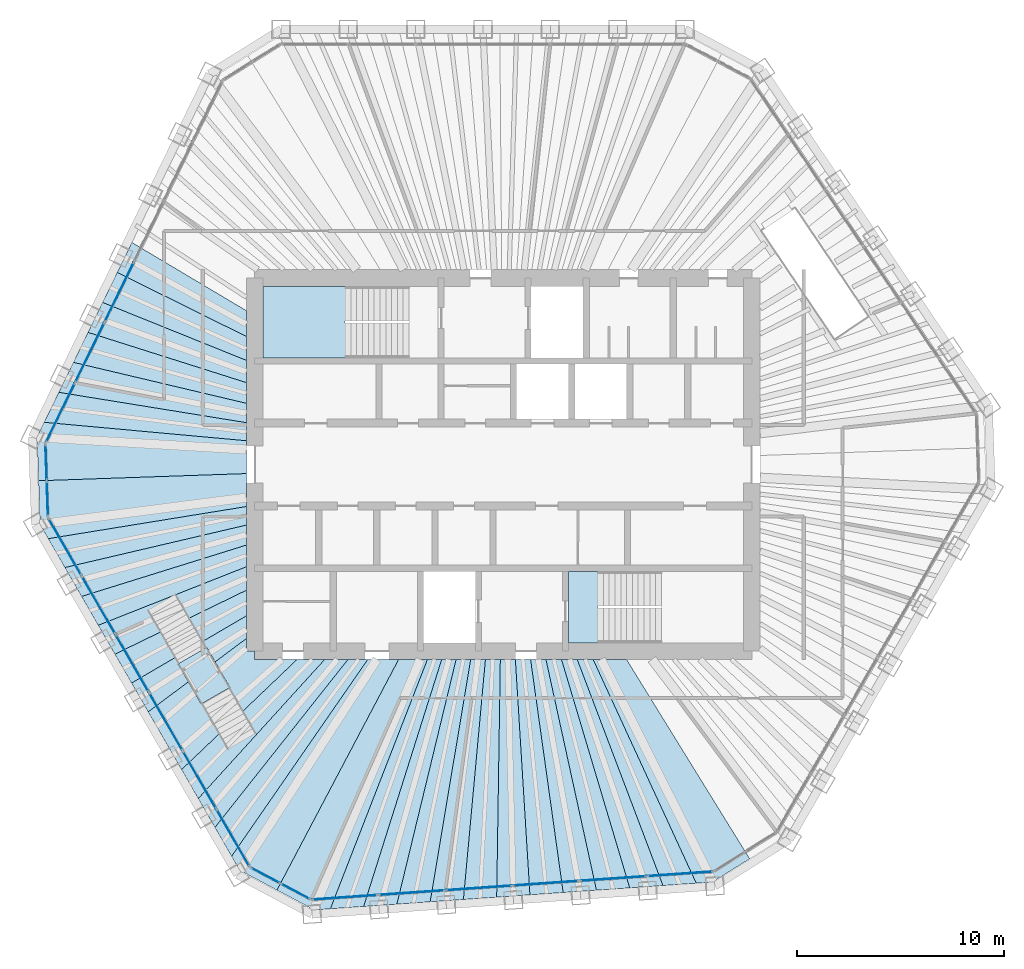
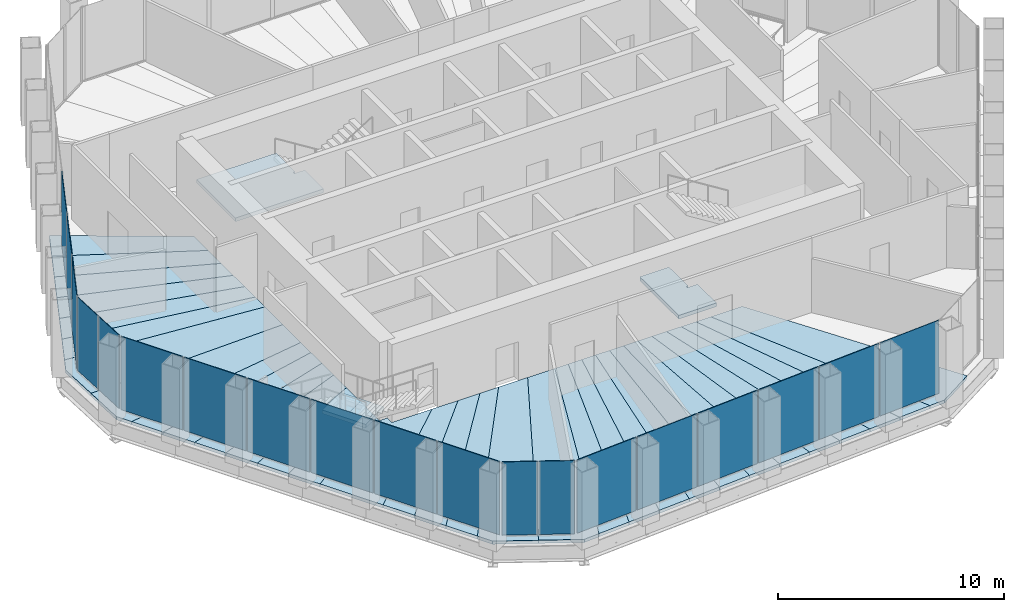
# One storey, part 11 of 17: 35 slabs, 19 plates, 8 elements without a shape of their own.
"""IFC4 building model written with IfcOpenShell, lengths in metres."""

import ifcopenshell
import ifcopenshell.guid

model = None  # the IFC model being written
_history = None  # IfcOwnerHistory: only IFC2X3 demands one
_inside = {}  # id of a spatial element -> (the spatial element, [elements in it])
_under = {}  # id of a project, library or spatial element -> (it, [spatial elements below it])
_declared = {}  # id of a project -> (the project, [libraries it declares])
_typed = {}  # id of a type object -> (the type object, [elements of that type])
_made_of = {}  # id of a material, layer set ... -> (it, [elements and type objects made of it])


def new_model(schema):
    """Start an empty IFC model of exactly this schema.

    Asked for "IFC4X3", IfcOpenShell would pick the latest addendum, in which some entities
    have other attributes; the version numbers below select the first issue.
    IFC2X3 requires an IfcOwnerHistory on every rooted entity: one is made here for all.
    """
    global model, _history
    if schema == "IFC4X3":
        model = ifcopenshell.file(schema_version=(4, 3, 0, 0))
    else:
        model = ifcopenshell.file(schema=schema)
    _inside.clear()
    _under.clear()
    _declared.clear()
    _typed.clear()
    _made_of.clear()
    _history = None
    if model.schema == "IFC2X3":
        org = make("IfcOrganization", Name="unknown")
        user = make(
            "IfcPersonAndOrganization",
            ThePerson=make("IfcPerson", FamilyName="unknown"),
            TheOrganization=org,
        )
        app = make(
            "IfcApplication",
            ApplicationDeveloper=org,
            Version="unknown",
            ApplicationFullName="unknown",
            ApplicationIdentifier="unknown",
        )
        _history = make(
            "IfcOwnerHistory",
            OwningUser=user,
            OwningApplication=app,
            ChangeAction="ADDED",
            CreationDate=0,
        )
    return model


def make(cls, **values):
    """One entity of the class cls with the attributes given. An attribute that is None is left unset."""
    return model.create_entity(
        cls, **{name: value for name, value in values.items() if value is not None}
    )


def rooted(cls, **values):
    """An entity with a GlobalId (a new one), such as an element, a storey or a relation."""
    return make(cls, GlobalId=ifcopenshell.guid.new(), OwnerHistory=_history, **values)


def si_unit(unit_type, name, prefix=None):
    """IfcSIUnit, for example si_unit("LENGTHUNIT", "METRE", prefix="MILLI")."""
    return make("IfcSIUnit", UnitType=unit_type, Prefix=prefix, Name=name)


def assignment(units):
    """IfcUnitAssignment: the units of a project."""
    return None if units is None else make("IfcUnitAssignment", Units=units)


def point(xyz):
    """IfcCartesianPoint."""
    return None if xyz is None else make("IfcCartesianPoint", Coordinates=xyz)


def direction(xyz):
    """IfcDirection."""
    return None if xyz is None else make("IfcDirection", DirectionRatios=xyz)


def frame(location, z_axis=None, x_axis=None):
    """IfcAxis2Placement3D, a coordinate frame: its origin and axes. An axis left out is left unset."""
    return make(
        "IfcAxis2Placement3D",
        Location=point(location),
        Axis=direction(z_axis),
        RefDirection=direction(x_axis),
    )


def frame_2d(location, x_axis=None):
    """IfcAxis2Placement2D, a coordinate frame in the plane: its origin and x axis."""
    return make(
        "IfcAxis2Placement2D", Location=point(location), RefDirection=direction(x_axis)
    )


def origin():
    """The frame at (0, 0, 0) with its axes left unset."""
    return frame((0.0, 0.0, 0.0))


def origin_2d():
    """The frame at (0, 0) in the plane with its x axis left unset."""
    return frame_2d((0.0, 0.0))


def place(relative_to, where):
    """IfcLocalPlacement: puts the frame where relative to a parent placement (None: the world)."""
    return make(
        "IfcLocalPlacement", PlacementRelTo=relative_to, RelativePlacement=where
    )


def context(
    kind, dimensions, precision=None, world=None, true_north=None, identifier=None
):
    """IfcGeometricRepresentationContext, for example the 3D "Model" context."""
    return make(
        "IfcGeometricRepresentationContext",
        ContextIdentifier=identifier,
        ContextType=kind,
        CoordinateSpaceDimension=dimensions,
        Precision=precision,
        WorldCoordinateSystem=world,
        TrueNorth=true_north,
    )


def subcontext(parent, identifier, kind, view, scale=None):
    """IfcGeometricRepresentationSubContext, for example "Body" below "Model"."""
    return make(
        "IfcGeometricRepresentationSubContext",
        ContextIdentifier=identifier,
        ContextType=kind,
        ParentContext=parent,
        TargetScale=scale,
        TargetView=view,
    )


def project(units=None, contexts=None):
    """IfcProject with its units and contexts."""
    return rooted(
        "IfcProject",
        Name="project",
        RepresentationContexts=contexts,
        UnitsInContext=assignment(units),
    )


def spatial(cls, under=None, at=None, **own):
    """A site, building, storey or space (cls), placed at a placement, below another one or the project."""
    s = rooted(cls, ObjectPlacement=at, **own)
    if under is not None:
        _under.setdefault(under.id(), (under, []))[1].append(s)
    return s


def polyline(points):
    """IfcPolyline through the points."""
    return make("IfcPolyline", Points=[point(p) for p in points])


def profile(cls, at=None, kind="AREA", **sizes):
    """A parametric profile (cls). Its sizes go by their IFC names, for example OverallWidth=200.0."""
    return make(cls, ProfileType=kind, Position=at, **sizes)


def rectangle(**sizes):
    """IfcRectangleProfileDef."""
    return profile("IfcRectangleProfileDef", **sizes)


def outline(outer, holes=None, kind="AREA"):
    """IfcArbitraryClosedProfileDef: a profile drawn as a closed curve; with holes, ...WithVoids."""
    if holes is None:
        return make("IfcArbitraryClosedProfileDef", ProfileType=kind, OuterCurve=outer)
    return make(
        "IfcArbitraryProfileDefWithVoids",
        ProfileType=kind,
        OuterCurve=outer,
        InnerCurves=holes,
    )


def extrude(swept, where, along, depth):
    """IfcExtrudedAreaSolid: the profile swept, set in the frame where, extruded along a direction by depth."""
    return make(
        "IfcExtrudedAreaSolid",
        SweptArea=swept,
        Position=where,
        ExtrudedDirection=direction(along),
        Depth=depth,
    )


def shape(context_of_items, identifier, shape_type, items):
    """IfcShapeRepresentation: the items that make up one representation, for example the "Body"."""
    return make(
        "IfcShapeRepresentation",
        ContextOfItems=context_of_items,
        RepresentationIdentifier=identifier,
        RepresentationType=shape_type,
        Items=items,
    )


def material(Name=None, Category=None):
    """IfcMaterial."""
    return make("IfcMaterial", Name=Name, Category=Category)


def layer(
    of_material, thickness, ventilated=None, Name=None, Category=None, Priority=None
):
    """IfcMaterialLayer: one layer of a wall or slab, of a material (None: an air gap)."""
    return make(
        "IfcMaterialLayer",
        Material=of_material,
        LayerThickness=thickness,
        IsVentilated=ventilated,
        Name=Name,
        Category=Category,
        Priority=Priority,
    )


def layer_set(layers, Name=None):
    """IfcMaterialLayerSet."""
    return make("IfcMaterialLayerSet", MaterialLayers=layers, LayerSetName=Name)


def constituent(of_material, Name=None, Category=None, fraction=None):
    """IfcMaterialConstituent: one of the materials an element consists of."""
    return make(
        "IfcMaterialConstituent",
        Name=Name,
        Material=of_material,
        Fraction=fraction,
        Category=Category,
    )


def constituent_set(constituents=None, Name=None):
    """IfcMaterialConstituentSet."""
    return make(
        "IfcMaterialConstituentSet", Name=Name, MaterialConstituents=constituents
    )


def made_of(thing, what):
    """Note that an element or type object is made of a material, layer set ...; save() writes the relation."""
    if what is not None:
        _made_of.setdefault(what.id(), (what, []))[1].append(thing)
    return thing


def type_object(cls, material=None, **own):
    """A type object (cls), such as IfcWallType, which elements share."""
    return made_of(rooted(cls, **own), material)


def element(
    cls,
    number,
    at=None,
    inside=None,
    cuts=None,
    type_object=None,
    material=None,
    context=None,
    identifier="Body",
    shape_type=None,
    held_by="IfcProductDefinitionShape",
    body=None,
    shapes=None,
    **own,
):
    """One element of the class cls, such as IfcWall. Its Tag is "e" and its number.

    at: its placement. inside: the storey or other place that contains it. cuts: it is an
    opening in that element (IfcRelVoidsElement). A single representation is given by context,
    identifier, shape_type and body (its items); several are given by shapes. held_by: the class
    of the entity that holds the representations. save() writes the other relations.
    """
    e = rooted(cls, Tag="e%d" % number, ObjectPlacement=at, **own)
    if body is not None:
        shapes = [shape(context, identifier, shape_type, body)]
    if shapes is not None:
        e.Representation = make(held_by, Representations=shapes)
    if inside is not None:
        _inside.setdefault(inside.id(), (inside, []))[1].append(e)
    if cuts is not None:
        rooted(
            "IfcRelVoidsElement", RelatingBuildingElement=cuts, RelatedOpeningElement=e
        )
    if type_object is not None:
        _typed.setdefault(type_object.id(), (type_object, []))[1].append(e)
    return made_of(e, material)


def aggregate(whole, parts):
    """IfcRelAggregates: a whole, such as a stair, and the parts it consists of."""
    return rooted("IfcRelAggregates", RelatingObject=whole, RelatedObjects=parts)


def save(model, path):
    """Write the relations noted so far, then the file.

    IfcRelAggregates (storeys below a building ...), IfcRelContainedInSpatialStructure (elements
    in a storey), IfcRelDefinesByType, IfcRelAssociatesMaterial and IfcRelDeclares: one each for
    every whole, place, type object, material and project.
    """
    for whole, parts in _under.values():
        aggregate(whole, parts)
    for where, things in _inside.values():
        rooted(
            "IfcRelContainedInSpatialStructure",
            RelatedElements=things,
            RelatingStructure=where,
        )
    for kind, things in _typed.values():
        rooted("IfcRelDefinesByType", RelatedObjects=things, RelatingType=kind)
    for what, things in _made_of.values():
        rooted("IfcRelAssociatesMaterial", RelatedObjects=things, RelatingMaterial=what)
    for by, libraries in _declared.values():
        rooted("IfcRelDeclares", RelatingContext=by, RelatedDefinitions=libraries)
    model.write(path)


model = new_model("IFC4")

# Units and contexts
model_context = context("Model", 3, precision=1e-05, world=origin(), true_north=direction((0.0, 1.0)))
body_context = subcontext(model_context, "Body", "Model", "MODEL_VIEW")
ifc_project = project(units=[si_unit("LENGTHUNIT", "METRE"), si_unit("AREAUNIT", "SQUARE_METRE"), si_unit("VOLUMEUNIT", "CUBIC_METRE"), si_unit("PLANEANGLEUNIT", "RADIAN"), si_unit("MASSUNIT", "GRAM", prefix="KILO")], contexts=[model_context])

# Site, building, storey
site_placement = place(None, origin())
site = spatial("IfcSite", under=ifc_project, at=site_placement, CompositionType="ELEMENT")
building_placement = place(site_placement, origin())
building = spatial("IfcBuilding", under=site, at=building_placement, Name="Qingtian Harvest Tower", CompositionType="ELEMENT")
storey_placement = place(building_placement, frame((0.0, 0.0, 329.199951171875)))
storey = spatial("IfcBuildingStorey", under=building, at=storey_placement, Name="L73", CompositionType="ELEMENT", Elevation=329.199951171875)

# Slabs
ifc_material_1 = material(Name="Concrete fc' 35 MPa", Category="concrete")
ifc_layer_1 = layer(ifc_material_1, 0.169921875)
ifc_layer_set_1 = layer_set([ifc_layer_1], Name="Composite floor slab FS17 170")
slab_type_1 = type_object("IfcSlabType", Name="Composite floor slab FS17 170", PredefinedType="FLOOR", material=ifc_layer_set_1)
slab_1_placement = place(storey_placement, frame((0.0, 0.0, -0.169921875)))
element("IfcSlab", 1, at=slab_1_placement, inside=storey, type_object=slab_type_1, Name="Floor slab L73 panel D01", PredefinedType="FLOOR", context=body_context, shape_type="SweptSolid", body=[
    extrude(outline(polyline([(-22.422607421875, -0.783203125), (-12.39990234375, -0.436767578125), (-12.39990234375, -2.028564453125), (-21.95751953125, -3.578369140625), (-22.348876953125, -2.90087890625), (-22.422607421875, -0.783203125)])), origin(), (0.0, 0.0, 1.0), 0.169921875),
])
slab_2_placement = place(storey_placement, frame((0.0, 0.0, -0.169921875)))
element("IfcSlab", 2, at=slab_2_placement, inside=storey, type_object=slab_type_1, Name="Floor slab L73 panel D02", PredefinedType="FLOOR", context=body_context, shape_type="SweptSolid", body=[
    extrude(outline(polyline([(-12.39990234375, -2.923095703125), (-21.153076171875, -4.9716796875), (-21.95751953125, -3.578369140625), (-12.39990234375, -2.028564453125), (-12.39990234375, -2.923095703125)])), origin(), (0.0, 0.0, 1.0), 0.169921875),
])
slab_3_placement = place(storey_placement, frame((0.0, 0.0, -0.169921875)))
element("IfcSlab", 3, at=slab_3_placement, inside=storey, type_object=slab_type_1, Name="Floor slab L73 panel D03", PredefinedType="FLOOR", context=body_context, shape_type="SweptSolid", body=[
    extrude(outline(polyline([(-12.39990234375, -3.888427734375), (-20.3486328125, -6.365234375), (-21.153076171875, -4.9716796875), (-12.39990234375, -2.923095703125), (-12.39990234375, -3.888427734375)])), origin(), (0.0, 0.0, 1.0), 0.169921875),
])
slab_4_placement = place(storey_placement, frame((0.0, 0.0, -0.169921875)))
element("IfcSlab", 4, at=slab_4_placement, inside=storey, type_object=slab_type_1, Name="Floor slab L73 panel D04", PredefinedType="FLOOR", context=body_context, shape_type="SweptSolid", body=[
    extrude(outline(polyline([(-12.39990234375, -4.93359375), (-19.544189453125, -7.758544921875), (-20.3486328125, -6.365234375), (-12.39990234375, -3.888427734375), (-12.39990234375, -4.93359375)])), origin(), (0.0, 0.0, 1.0), 0.169921875),
])
slab_5_placement = place(storey_placement, frame((0.0, 0.0, -0.169921875)))
element("IfcSlab", 5, at=slab_5_placement, inside=storey, type_object=slab_type_1, Name="Floor slab L73 panel D05", PredefinedType="FLOOR", context=body_context, shape_type="SweptSolid", body=[
    extrude(outline(polyline([(-12.39990234375, -6.068359375), (-18.73974609375, -9.15185546875), (-19.544189453125, -7.758544921875), (-12.39990234375, -4.93359375), (-12.39990234375, -6.068359375)])), origin(), (0.0, 0.0, 1.0), 0.169921875),
])
slab_6_placement = place(storey_placement, frame((0.0, 0.0, -0.169921875)))
element("IfcSlab", 6, at=slab_6_placement, inside=storey, type_object=slab_type_1, Name="Floor slab L73 panel D06", PredefinedType="FLOOR", context=body_context, shape_type="SweptSolid", body=[
    extrude(outline(polyline([(-12.39990234375, -7.304931640625), (-17.93505859375, -10.54541015625), (-18.73974609375, -9.15185546875), (-12.39990234375, -6.068359375), (-12.39990234375, -7.304931640625)])), origin(), (0.0, 0.0, 1.0), 0.169921875),
])
slab_7_placement = place(storey_placement, frame((0.0, 0.0, -0.169921875)))
element("IfcSlab", 7, at=slab_7_placement, inside=storey, type_object=slab_type_1, Name="Floor slab L73 panel D07", PredefinedType="FLOOR", context=body_context, shape_type="SweptSolid", body=[
    extrude(outline(polyline([(-12.39990234375, -8.400390625), (-17.134033203125, -11.932861328125), (-17.93505859375, -10.54541015625), (-12.39990234375, -7.304931640625), (-12.39990234375, -8.400390625)])), origin(), (0.0, 0.0, 1.0), 0.169921875),
])
slab_8_placement = place(storey_placement, frame((0.0, 0.0, -0.169921875)))
element("IfcSlab", 8, at=slab_8_placement, inside=storey, type_object=slab_type_1, Name="Floor slab L73 panel D09", PredefinedType="FLOOR", context=body_context, shape_type="SweptSolid", body=[
    extrude(outline(polyline([(-15.522216796875, -14.724609375), (-17.134033203125, -11.932861328125), (-12.39990234375, -8.400390625), (-12.39990234375, -9.0), (-12.0, -9.0), (-12.0, -9.39990234375), (-9.943115234375, -9.39990234375), (-15.522216796875, -14.724609375)])), origin(), (0.0, 0.0, 1.0), 0.169921875),
])
slab_9_placement = place(storey_placement, frame((0.0, 0.0, -0.169921875)))
element("IfcSlab", 9, at=slab_9_placement, inside=storey, type_object=slab_type_1, Name="Floor slab L73 panel D10", PredefinedType="FLOOR", context=body_context, shape_type="SweptSolid", body=[
    extrude(outline(polyline([(-8.609130859375, -9.39990234375), (-14.7177734375, -16.1181640625), (-15.522216796875, -14.724609375), (-9.943115234375, -9.39990234375), (-8.609130859375, -9.39990234375)])), origin(), (0.0, 0.0, 1.0), 0.169921875),
])
slab_10_placement = place(storey_placement, frame((0.0, 0.0, -0.169921875)))
element("IfcSlab", 10, at=slab_10_placement, inside=storey, type_object=slab_type_1, Name="Floor slab L73 panel D11", PredefinedType="FLOOR", context=body_context, shape_type="SweptSolid", body=[
    extrude(outline(polyline([(-7.488525390625, -9.39990234375), (-13.9130859375, -17.51171875), (-14.7177734375, -16.1181640625), (-8.609130859375, -9.39990234375), (-7.488525390625, -9.39990234375)])), origin(), (0.0, 0.0, 1.0), 0.169921875),
])
slab_11_placement = place(storey_placement, frame((0.0, 0.0, -0.169921875)))
element("IfcSlab", 11, at=slab_11_placement, inside=storey, type_object=slab_type_1, Name="Floor slab L73 panel D12", PredefinedType="FLOOR", context=body_context, shape_type="SweptSolid", body=[
    extrude(outline(polyline([(-6.533935546875, -9.39990234375), (-13.108642578125, -18.905029296875), (-13.9130859375, -17.51171875), (-7.488525390625, -9.39990234375), (-6.533935546875, -9.39990234375)])), origin(), (0.0, 0.0, 1.0), 0.169921875),
])
slab_12_placement = place(storey_placement, frame((0.0, 0.0, -0.169921875)))
element("IfcSlab", 12, at=slab_12_placement, inside=storey, type_object=slab_type_1, Name="Floor slab L73 panel D13", PredefinedType="FLOOR", context=body_context, shape_type="SweptSolid", body=[
    extrude(outline(polyline([(-6.533935546875, -9.39990234375), (-5.04638671875, -9.39990234375), (-10.921142578125, -20.537841796875), (-12.717529296875, -19.582763671875), (-13.108642578125, -18.905029296875), (-6.533935546875, -9.39990234375)])), origin(), (0.0, 0.0, 1.0), 0.169921875),
])
slab_13_placement = place(storey_placement, frame((0.0, 0.0, -0.169921875)))
element("IfcSlab", 13, at=slab_13_placement, inside=storey, type_object=slab_type_1, Name="Floor slab L73 panel D14", PredefinedType="FLOOR", context=body_context, shape_type="SweptSolid", body=[
    extrude(outline(polyline([(-5.04638671875, -9.39990234375), (-3.656982421875, -9.39990234375), (-8.343017578125, -21.439208984375), (-9.123291015625, -21.49365234375), (-10.921142578125, -20.537841796875), (-5.04638671875, -9.39990234375)])), origin(), (0.0, 0.0, 1.0), 0.169921875),
])
slab_14_placement = place(storey_placement, frame((0.0, 0.0, -0.169921875)))
element("IfcSlab", 14, at=slab_14_placement, inside=storey, type_object=slab_type_1, Name="Floor slab L73 panel D15", PredefinedType="FLOOR", context=body_context, shape_type="SweptSolid", body=[
    extrude(outline(polyline([(-2.968994140625, -9.39990234375), (-6.738037109375, -21.326904296875), (-8.343017578125, -21.439208984375), (-3.656982421875, -9.39990234375), (-2.968994140625, -9.39990234375)])), origin(), (0.0, 0.0, 1.0), 0.169921875),
])
slab_15_placement = place(storey_placement, frame((0.0, 0.0, -0.169921875)))
element("IfcSlab", 15, at=slab_15_placement, inside=storey, type_object=slab_type_1, Name="Floor slab L73 panel D16", PredefinedType="FLOOR", context=body_context, shape_type="SweptSolid", body=[
    extrude(outline(polyline([(-2.2734375, -9.39990234375), (-5.133056640625, -21.21484375), (-6.738037109375, -21.326904296875), (-2.968994140625, -9.39990234375), (-2.2734375, -9.39990234375)])), origin(), (0.0, 0.0, 1.0), 0.169921875),
])
slab_16_placement = place(storey_placement, frame((0.0, 0.0, -0.169921875)))
element("IfcSlab", 16, at=slab_16_placement, inside=storey, type_object=slab_type_1, Name="Floor slab L73 panel D17", PredefinedType="FLOOR", context=body_context, shape_type="SweptSolid", body=[
    extrude(outline(polyline([(-1.570556640625, -9.39990234375), (-3.528076171875, -21.1025390625), (-5.133056640625, -21.21484375), (-2.2734375, -9.39990234375), (-1.570556640625, -9.39990234375)])), origin(), (0.0, 0.0, 1.0), 0.169921875),
])
slab_17_placement = place(storey_placement, frame((0.0, 0.0, -0.169921875)))
element("IfcSlab", 17, at=slab_17_placement, inside=storey, type_object=slab_type_1, Name="Floor slab L73 panel D18", PredefinedType="FLOOR", context=body_context, shape_type="SweptSolid", body=[
    extrude(outline(polyline([(-0.860107421875, -9.39990234375), (-1.9228515625, -20.990234375), (-3.528076171875, -21.1025390625), (-1.570556640625, -9.39990234375), (-0.860107421875, -9.39990234375)])), origin(), (0.0, 0.0, 1.0), 0.169921875),
])
slab_18_placement = place(storey_placement, frame((0.0, 0.0, -0.169921875)))
element("IfcSlab", 18, at=slab_18_placement, inside=storey, type_object=slab_type_1, Name="Floor slab L73 panel D19", PredefinedType="FLOOR", context=body_context, shape_type="SweptSolid", body=[
    extrude(outline(polyline([(-0.14208984375, -9.39990234375), (-0.31787109375, -20.8779296875), (-1.9228515625, -20.990234375), (-0.860107421875, -9.39990234375), (-0.14208984375, -9.39990234375)])), origin(), (0.0, 0.0, 1.0), 0.169921875),
])
slab_19_placement = place(storey_placement, frame((0.0, 0.0, -0.169921875)))
element("IfcSlab", 19, at=slab_19_placement, inside=storey, type_object=slab_type_1, Name="Floor slab L73 panel D20", PredefinedType="FLOOR", context=body_context, shape_type="SweptSolid", body=[
    extrude(outline(polyline([(0.58349609375, -9.39990234375), (1.287109375, -20.765869140625), (-0.31787109375, -20.8779296875), (-0.14208984375, -9.39990234375), (0.58349609375, -9.39990234375)])), origin(), (0.0, 0.0, 1.0), 0.169921875),
])
slab_20_placement = place(storey_placement, frame((0.0, 0.0, -0.169921875)))
element("IfcSlab", 20, at=slab_20_placement, inside=storey, type_object=slab_type_1, Name="Floor slab L73 panel D21", PredefinedType="FLOOR", context=body_context, shape_type="SweptSolid", body=[
    extrude(outline(polyline([(1.3173828125, -9.39990234375), (2.89208984375, -20.653564453125), (1.287109375, -20.765869140625), (0.58349609375, -9.39990234375), (1.3173828125, -9.39990234375)])), origin(), (0.0, 0.0, 1.0), 0.169921875),
])
slab_21_placement = place(storey_placement, frame((0.0, 0.0, -0.169921875)))
element("IfcSlab", 21, at=slab_21_placement, inside=storey, type_object=slab_type_1, Name="Floor slab L73 panel D22", PredefinedType="FLOOR", context=body_context, shape_type="SweptSolid", body=[
    extrude(outline(polyline([(2.058837890625, -9.39990234375), (4.4970703125, -20.541259765625), (2.89208984375, -20.653564453125), (1.3173828125, -9.39990234375), (2.058837890625, -9.39990234375)])), origin(), (0.0, 0.0, 1.0), 0.169921875),
])
slab_22_placement = place(storey_placement, frame((0.0, 0.0, -0.169921875)))
element("IfcSlab", 22, at=slab_22_placement, inside=storey, type_object=slab_type_1, Name="Floor slab L73 panel D23", PredefinedType="FLOOR", context=body_context, shape_type="SweptSolid", body=[
    extrude(outline(polyline([(2.808837890625, -9.39990234375), (6.10205078125, -20.42919921875), (4.4970703125, -20.541259765625), (2.058837890625, -9.39990234375), (2.808837890625, -9.39990234375)])), origin(), (0.0, 0.0, 1.0), 0.169921875),
])
slab_23_placement = place(storey_placement, frame((0.0, 0.0, -0.169921875)))
element("IfcSlab", 23, at=slab_23_placement, inside=storey, type_object=slab_type_1, Name="Floor slab L73 panel D24", PredefinedType="FLOOR", context=body_context, shape_type="SweptSolid", body=[
    extrude(outline(polyline([(3.56689453125, -9.39990234375), (7.70703125, -20.31689453125), (6.10205078125, -20.42919921875), (2.808837890625, -9.39990234375), (3.56689453125, -9.39990234375)])), origin(), (0.0, 0.0, 1.0), 0.169921875),
])
slab_24_placement = place(storey_placement, frame((0.0, 0.0, -0.169921875)))
element("IfcSlab", 24, at=slab_24_placement, inside=storey, type_object=slab_type_1, Name="Floor slab L73 panel D25", PredefinedType="FLOOR", context=body_context, shape_type="SweptSolid", body=[
    extrude(outline(polyline([(4.33349609375, -9.39990234375), (9.312255859375, -20.20458984375), (7.70703125, -20.31689453125), (3.56689453125, -9.39990234375), (4.33349609375, -9.39990234375)])), origin(), (0.0, 0.0, 1.0), 0.169921875),
])
slab_25_placement = place(storey_placement, frame((0.0, 0.0, -0.169921875)))
element("IfcSlab", 25, at=slab_25_placement, inside=storey, type_object=slab_type_1, Name="Floor slab L73 panel D26", PredefinedType="FLOOR", context=body_context, shape_type="SweptSolid", body=[
    extrude(outline(polyline([(4.33349609375, -9.39990234375), (5.945556640625, -9.39990234375), (11.890380859375, -19.026611328125), (10.09228515625, -20.150146484375), (9.312255859375, -20.20458984375), (4.33349609375, -9.39990234375)])), origin(), (0.0, 0.0, 1.0), 0.169921875),
])
slab_26_placement = place(storey_placement, frame((0.0, 0.0, -0.169921875)))
element("IfcSlab", 26, at=slab_26_placement, inside=storey, type_object=slab_type_1, Name="Floor slab L73 panel D72", PredefinedType="FLOOR", context=body_context, shape_type="SweptSolid", body=[
    extrude(outline(polyline([(-12.39990234375, 6.18115234375), (-18.627197265625, 9.2685546875), (-17.921875, 10.714599609375), (-12.39990234375, 7.42578125), (-12.39990234375, 6.18115234375)])), origin(), (0.0, 0.0, 1.0), 0.169921875),
])
slab_27_placement = place(storey_placement, frame((0.0, 0.0, -0.169921875)))
element("IfcSlab", 27, at=slab_27_placement, inside=storey, type_object=slab_type_1, Name="Floor slab L73 panel D73", PredefinedType="FLOOR", context=body_context, shape_type="SweptSolid", body=[
    extrude(outline(polyline([(-12.39990234375, 5.02734375), (-19.33251953125, 7.822509765625), (-18.627197265625, 9.2685546875), (-12.39990234375, 6.18115234375), (-12.39990234375, 5.02734375)])), origin(), (0.0, 0.0, 1.0), 0.169921875),
])
slab_28_placement = place(storey_placement, frame((0.0, 0.0, -0.169921875)))
element("IfcSlab", 28, at=slab_28_placement, inside=storey, type_object=slab_type_1, Name="Floor slab L73 panel D74", PredefinedType="FLOOR", context=body_context, shape_type="SweptSolid", body=[
    extrude(outline(polyline([(-12.39990234375, 3.954833984375), (-20.037841796875, 6.376220703125), (-19.33251953125, 7.822509765625), (-12.39990234375, 5.02734375), (-12.39990234375, 3.954833984375)])), origin(), (0.0, 0.0, 1.0), 0.169921875),
])
slab_29_placement = place(storey_placement, frame((0.0, 0.0, -0.169921875)))
element("IfcSlab", 29, at=slab_29_placement, inside=storey, type_object=slab_type_1, Name="Floor slab L73 panel D75", PredefinedType="FLOOR", context=body_context, shape_type="SweptSolid", body=[
    extrude(outline(polyline([(-12.39990234375, 2.955322265625), (-20.7431640625, 4.93017578125), (-20.037841796875, 6.376220703125), (-12.39990234375, 3.954833984375), (-12.39990234375, 2.955322265625)])), origin(), (0.0, 0.0, 1.0), 0.169921875),
])
slab_30_placement = place(storey_placement, frame((0.0, 0.0, -0.169921875)))
element("IfcSlab", 30, at=slab_30_placement, inside=storey, type_object=slab_type_1, Name="Floor slab L73 panel D76", PredefinedType="FLOOR", context=body_context, shape_type="SweptSolid", body=[
    extrude(outline(polyline([(-12.39990234375, 2.021484375), (-21.448486328125, 3.484130859375), (-20.7431640625, 4.93017578125), (-12.39990234375, 2.955322265625), (-12.39990234375, 2.021484375)])), origin(), (0.0, 0.0, 1.0), 0.169921875),
])
slab_31_placement = place(storey_placement, frame((0.0, 0.0, -0.169921875)))
element("IfcSlab", 31, at=slab_31_placement, inside=storey, type_object=slab_type_1, Name="Floor slab L73 panel D77", PredefinedType="FLOOR", context=body_context, shape_type="SweptSolid", body=[
    extrude(outline(polyline([(-12.39990234375, 1.147216796875), (-22.15380859375, 2.037841796875), (-21.448486328125, 3.484130859375), (-12.39990234375, 2.021484375), (-12.39990234375, 1.147216796875)])), origin(), (0.0, 0.0, 1.0), 0.169921875),
])
slab_32_placement = place(storey_placement, frame((0.0, 0.0, -0.169921875)))
element("IfcSlab", 32, at=slab_32_placement, inside=storey, type_object=slab_type_1, Name="Floor slab L73 panel D78", PredefinedType="FLOOR", context=body_context, shape_type="SweptSolid", body=[
    extrude(outline(polyline([(-12.39990234375, 1.147216796875), (-12.39990234375, -0.436767578125), (-22.422607421875, -0.783203125), (-22.49658203125, 1.334716796875), (-22.15380859375, 2.037841796875), (-12.39990234375, 1.147216796875)])), origin(), (0.0, 0.0, 1.0), 0.169921875),
])

# Stair, slab
ifc_material_2 = material(Name="Steel SN490B (325 MPa)", Category="steel")
ifc_constituent_1 = constituent(ifc_material_2, Name="Stringers")
ifc_material_3 = material(Name="Terrazzo treads")
ifc_constituent_2 = constituent(ifc_material_3, Name="Treads")
ifc_constituent_set = constituent_set(constituents=[ifc_constituent_1, ifc_constituent_2], Name="Steel SN490B (325 MPa)")
stair_type_1 = type_object("IfcStairType", Name="Feature stair FS4200 straight run", PredefinedType="STRAIGHT_RUN_STAIR", material=ifc_constituent_set)
stair_1_placement = place(storey_placement, origin())
stair_1 = element("IfcStair", 33, at=stair_1_placement, inside=storey, type_object=stair_type_1, Name="Feature stair FS6 L73 to L74", PredefinedType="STRAIGHT_RUN_STAIR")
ifc_material_4 = material(Name="Steel deck with terrazzo", Category="steel")
ifc_layer_2 = layer(ifc_material_4, 0.199951171875)
ifc_layer_set_2 = layer_set([ifc_layer_2], Name="Feature stair landing SL3 200")
slab_type_2 = type_object("IfcSlabType", Name="Feature stair landing SL3 200", PredefinedType="LANDING", material=ifc_layer_set_2)
slab_33_placement = place(storey_placement, frame((0.0, 0.0, 1.900146484375)))
slab_33 = element("IfcSlab", 34, at=slab_33_placement, type_object=slab_type_2, Name="FS6 landing 1", PredefinedType="LANDING", context=body_context, shape_type="SweptSolid", body=[
    extrude(outline(polyline([(-14.30712890625, -8.820556640625), (-13.189697265625, -10.756103515625), (-14.575439453125, -11.55615234375), (-15.69287109375, -9.62060546875), (-14.30712890625, -8.820556640625)])), origin(), (0.0, 0.0, 1.0), 0.199951171875),
])
aggregate(stair_1, [slab_33])

# Curtain wall, plates
ifc_material_5 = material(Name="Bronze-anodised aluminium curtain wall", Category="aluminium")
curtain_wall_type = type_object("IfcCurtainWallType", Name="Curtain wall CW6 executive floors", PredefinedType="USERDEFINED", material=ifc_material_5)
curtain_wall_1_placement = place(storey_placement, origin())
curtain_wall_1 = element("IfcCurtainWall", 35, at=curtain_wall_1_placement, inside=storey, type_object=curtain_wall_type, Name="Curtain wall CW6 L73 S0-5", ObjectType="RECESSED CURTAIN WALL", PredefinedType="USERDEFINED")
ifc_material_6 = material(Name="Bronze-tinted laminated insulating glass", Category="glass")
ifc_layer_3 = layer(ifc_material_6, 0.030029296875)
ifc_layer_set_3 = layer_set([ifc_layer_3], Name="Glazed panel CWP tinted IGU")
plate_type = type_object("IfcPlateType", Name="Glazed panel CWP tinted IGU", PredefinedType="CURTAIN_PANEL", material=ifc_layer_set_3)
plate_1_placement = place(storey_placement, frame((8.5244140625, -19.75341796875, 0.06494140625), z_axis=(0.0, 0.0, 1.0), x_axis=(-0.99756405026, -0.069756473744, 0.0)))
plate_1 = element("IfcPlate", 36, at=plate_1_placement, type_object=plate_type, Name="CW6 panel 1.1", PredefinedType="CURTAIN_PANEL", context=body_context, shape_type="SweptSolid", body=[
    extrude(rectangle(XDim=3.150634765625, YDim=0.030029296875, at=origin_2d()), origin(), (0.0, 0.0, 1.0), 3.965087890625),
])
plate_2_placement = place(storey_placement, frame((5.300537109375, -19.97900390625, 0.06494140625), z_axis=(0.0, 0.0, 1.0), x_axis=(-0.99756405026, -0.069756473744, 0.0)))
plate_2 = element("IfcPlate", 37, at=plate_2_placement, type_object=plate_type, Name="CW6 panel 2.1", PredefinedType="CURTAIN_PANEL", context=body_context, shape_type="SweptSolid", body=[
    extrude(rectangle(XDim=3.18310546875, YDim=0.030029296875, at=origin_2d()), origin(), (0.0, 0.0, 1.0), 3.965087890625),
])
plate_3_placement = place(storey_placement, frame((2.060302734375, -20.20556640625, 0.06494140625), z_axis=(0.0, 0.0, 1.0), x_axis=(-0.99756405026, -0.069756473744, 0.0)))
plate_3 = element("IfcPlate", 38, at=plate_3_placement, type_object=plate_type, Name="CW6 panel 3.1", PredefinedType="CURTAIN_PANEL", context=body_context, shape_type="SweptSolid", body=[
    extrude(rectangle(XDim=3.18310546875, YDim=0.030029296875, at=origin_2d()), origin(), (0.0, 0.0, 1.0), 3.965087890625),
])
plate_4_placement = place(storey_placement, frame((-1.1796875, -20.43212890625, 0.06494140625), z_axis=(0.0, 0.0, 1.0), x_axis=(-0.99756405026, -0.069756473744, 0.0)))
plate_4 = element("IfcPlate", 39, at=plate_4_placement, type_object=plate_type, Name="CW6 panel 4.1", PredefinedType="CURTAIN_PANEL", context=body_context, shape_type="SweptSolid", body=[
    extrude(rectangle(XDim=3.18310546875, YDim=0.030029296875, at=origin_2d()), origin(), (0.0, 0.0, 1.0), 3.965087890625),
])
plate_5_placement = place(storey_placement, frame((-4.419921875, -20.65869140625, 0.06494140625), z_axis=(0.0, 0.0, 1.0), x_axis=(-0.99756405026, -0.069756473744, 0.0)))
plate_5 = element("IfcPlate", 40, at=plate_5_placement, type_object=plate_type, Name="CW6 panel 5.1", PredefinedType="CURTAIN_PANEL", context=body_context, shape_type="SweptSolid", body=[
    extrude(rectangle(XDim=3.18310546875, YDim=0.030029296875, at=origin_2d()), origin(), (0.0, 0.0, 1.0), 3.965087890625),
])
plate_6_placement = place(storey_placement, frame((-7.643798828125, -20.884033203125, 0.06494140625), z_axis=(0.0, 0.0, 1.0), x_axis=(-0.99756405026, -0.069756473744, 0.0)))
plate_6 = element("IfcPlate", 41, at=plate_6_placement, type_object=plate_type, Name="CW6 panel 6.1", PredefinedType="CURTAIN_PANEL", context=body_context, shape_type="SweptSolid", body=[
    extrude(rectangle(XDim=3.150634765625, YDim=0.030029296875, at=origin_2d()), origin(), (0.0, 0.0, 1.0), 3.965087890625),
])
aggregate(curtain_wall_1, [plate_1, plate_2, plate_3, plate_4, plate_5, plate_6])

curtain_wall_2_placement = place(storey_placement, origin())
curtain_wall_2 = element("IfcCurtainWall", 42, at=curtain_wall_2_placement, inside=storey, type_object=curtain_wall_type, Name="Curtain wall CW6 L73 SC", ObjectType="RECESSED CURTAIN WALL", PredefinedType="USERDEFINED")
plate_7_placement = place(storey_placement, frame((-10.029296875, -20.60009765625, 0.06494140625), z_axis=(0.0, 0.0, 1.0), x_axis=(-0.882947592859, 0.469471562786, 0.0)))
plate_7 = element("IfcPlate", 43, at=plate_7_placement, type_object=plate_type, Name="CW6 panel 1.1", PredefinedType="CURTAIN_PANEL", context=body_context, shape_type="SweptSolid", body=[
    extrude(rectangle(XDim=1.56689453125, YDim=0.030029296875, at=origin_2d()), origin(), (0.0, 0.0, 1.0), 3.965087890625),
])
plate_8_placement = place(storey_placement, frame((-11.469970703125, -19.833984375, 0.06494140625), z_axis=(0.0, 0.0, 1.0), x_axis=(-0.882947592859, 0.469471562786, 0.0)))
plate_8 = element("IfcPlate", 44, at=plate_8_placement, type_object=plate_type, Name="CW6 panel 2.1", PredefinedType="CURTAIN_PANEL", context=body_context, shape_type="SweptSolid", body=[
    extrude(rectangle(XDim=1.56689453125, YDim=0.030029296875, at=origin_2d()), origin(), (0.0, 0.0, 1.0), 3.965087890625),
])
aggregate(curtain_wall_2, [plate_7, plate_8])

curtain_wall_3_placement = place(storey_placement, origin())
curtain_wall_3 = element("IfcCurtainWall", 45, at=curtain_wall_3_placement, inside=storey, type_object=curtain_wall_type, Name="Curtain wall CW6 L73 SW0-5", ObjectType="RECESSED CURTAIN WALL", PredefinedType="USERDEFINED")
plate_9_placement = place(storey_placement, frame((-13.039306640625, -18.01513671875, 0.06494140625), z_axis=(0.0, 0.0, 1.0), x_axis=(-0.5, 0.866025403784, 0.0)))
plate_9 = element("IfcPlate", 46, at=plate_9_placement, type_object=plate_type, Name="CW6 panel 1.1", PredefinedType="CURTAIN_PANEL", context=body_context, shape_type="SweptSolid", body=[
    extrude(rectangle(XDim=3.150634765625, YDim=0.030029296875, at=origin_2d()), origin(), (0.0, 0.0, 1.0), 3.965087890625),
])
plate_10_placement = place(storey_placement, frame((-14.6552734375, -15.216552734375, 0.06494140625), z_axis=(0.0, 0.0, 1.0), x_axis=(-0.5, 0.866025403784, 0.0)))
plate_10 = element("IfcPlate", 47, at=plate_10_placement, type_object=plate_type, Name="CW6 panel 2.1", PredefinedType="CURTAIN_PANEL", context=body_context, shape_type="SweptSolid", body=[
    extrude(rectangle(XDim=3.18310546875, YDim=0.030029296875, at=origin_2d()), origin(), (0.0, 0.0, 1.0), 3.965087890625),
])
plate_11_placement = place(storey_placement, frame((-16.279296875, -12.403564453125, 0.06494140625), z_axis=(0.0, 0.0, 1.0), x_axis=(-0.5, 0.866025403784, 0.0)))
plate_11 = element("IfcPlate", 48, at=plate_11_placement, type_object=plate_type, Name="CW6 panel 3.1", PredefinedType="CURTAIN_PANEL", context=body_context, shape_type="SweptSolid", body=[
    extrude(rectangle(XDim=3.18310546875, YDim=0.030029296875, at=origin_2d()), origin(), (0.0, 0.0, 1.0), 3.965087890625),
])
plate_12_placement = place(storey_placement, frame((-17.9033203125, -9.590576171875, 0.06494140625), z_axis=(0.0, 0.0, 1.0), x_axis=(-0.5, 0.866025403784, 0.0)))
plate_12 = element("IfcPlate", 49, at=plate_12_placement, type_object=plate_type, Name="CW6 panel 4.1", PredefinedType="CURTAIN_PANEL", context=body_context, shape_type="SweptSolid", body=[
    extrude(rectangle(XDim=3.18310546875, YDim=0.030029296875, at=origin_2d()), origin(), (0.0, 0.0, 1.0), 3.965087890625),
])
plate_13_placement = place(storey_placement, frame((-19.52734375, -6.77783203125, 0.06494140625), z_axis=(0.0, 0.0, 1.0), x_axis=(-0.5, 0.866025403784, 0.0)))
plate_13 = element("IfcPlate", 50, at=plate_13_placement, type_object=plate_type, Name="CW6 panel 5.1", PredefinedType="CURTAIN_PANEL", context=body_context, shape_type="SweptSolid", body=[
    extrude(rectangle(XDim=3.18310546875, YDim=0.030029296875, at=origin_2d()), origin(), (0.0, 0.0, 1.0), 3.965087890625),
])
plate_14_placement = place(storey_placement, frame((-21.14306640625, -3.97900390625, 0.06494140625), z_axis=(0.0, 0.0, 1.0), x_axis=(-0.5, 0.866025403784, 0.0)))
plate_14 = element("IfcPlate", 51, at=plate_14_placement, type_object=plate_type, Name="CW6 panel 6.1", PredefinedType="CURTAIN_PANEL", context=body_context, shape_type="SweptSolid", body=[
    extrude(rectangle(XDim=3.150634765625, YDim=0.030029296875, at=origin_2d()), origin(), (0.0, 0.0, 1.0), 3.965087890625),
])
aggregate(curtain_wall_3, [plate_9, plate_10, plate_11, plate_12, plate_13, plate_14])

curtain_wall_4_placement = place(storey_placement, origin())
curtain_wall_4 = element("IfcCurtainWall", 52, at=curtain_wall_4_placement, inside=storey, type_object=curtain_wall_type, Name="Curtain wall CW6 L73 SWC", ObjectType="RECESSED CURTAIN WALL", PredefinedType="USERDEFINED")
plate_15_placement = place(storey_placement, frame((-21.9951171875, -1.647705078125, 0.06494140625), z_axis=(0.0, 0.0, 1.0), x_axis=(-0.034899496703, 0.999390827019, 0.0)))
plate_15 = element("IfcPlate", 53, at=plate_15_placement, type_object=plate_type, Name="CW6 panel 1.1", PredefinedType="CURTAIN_PANEL", context=body_context, shape_type="SweptSolid", body=[
    extrude(rectangle(XDim=1.69287109375, YDim=0.030029296875, at=origin_2d()), origin(), (0.0, 0.0, 1.0), 3.965087890625),
])
plate_16_placement = place(storey_placement, frame((-22.056396484375, 0.109375, 0.06494140625), z_axis=(0.0, 0.0, 1.0), x_axis=(-0.034899496703, 0.999390827019, 0.0)))
plate_16 = element("IfcPlate", 54, at=plate_16_placement, type_object=plate_type, Name="CW6 panel 2.1", PredefinedType="CURTAIN_PANEL", context=body_context, shape_type="SweptSolid", body=[
    extrude(rectangle(XDim=1.69287109375, YDim=0.030029296875, at=origin_2d()), origin(), (0.0, 0.0, 1.0), 3.965087890625),
])
aggregate(curtain_wall_4, [plate_15, plate_16])

curtain_wall_5_placement = place(storey_placement, origin())
curtain_wall_5 = element("IfcCurtainWall", 55, at=curtain_wall_5_placement, inside=storey, type_object=curtain_wall_type, Name="Curtain wall CW6 L73 NW0-5", ObjectType="RECESSED CURTAIN WALL", PredefinedType="USERDEFINED")
plate_17_placement = place(storey_placement, frame((-21.369140625, 2.494384765625, 0.06494140625), z_axis=(0.0, 0.0, 1.0), x_axis=(0.438371146789, 0.898794046299, 0.0)))
plate_17 = element("IfcPlate", 56, at=plate_17_placement, type_object=plate_type, Name="CW6 panel 1.1", PredefinedType="CURTAIN_PANEL", context=body_context, shape_type="SweptSolid", body=[
    extrude(rectangle(XDim=3.150634765625, YDim=0.030029296875, at=origin_2d()), origin(), (0.0, 0.0, 1.0), 3.965087890625),
])
plate_18_placement = place(storey_placement, frame((-19.952392578125, 5.399169921875, 0.06494140625), z_axis=(0.0, 0.0, 1.0), x_axis=(0.438371146789, 0.898794046299, 0.0)))
plate_18 = element("IfcPlate", 57, at=plate_18_placement, type_object=plate_type, Name="CW6 panel 2.1", PredefinedType="CURTAIN_PANEL", context=body_context, shape_type="SweptSolid", body=[
    extrude(rectangle(XDim=3.18310546875, YDim=0.030029296875, at=origin_2d()), origin(), (0.0, 0.0, 1.0), 3.965087890625),
])
plate_19_placement = place(storey_placement, frame((-18.528564453125, 8.318359375, 0.06494140625), z_axis=(0.0, 0.0, 1.0), x_axis=(0.438371146789, 0.898794046299, 0.0)))
plate_19 = element("IfcPlate", 58, at=plate_19_placement, type_object=plate_type, Name="CW6 panel 3.1", PredefinedType="CURTAIN_PANEL", context=body_context, shape_type="SweptSolid", body=[
    extrude(rectangle(XDim=3.18310546875, YDim=0.030029296875, at=origin_2d()), origin(), (0.0, 0.0, 1.0), 3.965087890625),
])
aggregate(curtain_wall_5, [plate_17, plate_18, plate_19])

# Stair, slab
ifc_material_7 = material(Name="Concrete fc' 35 MPa", Category="concrete")
stair_type_2 = type_object("IfcStairType", Name="Special stair ST7 4200", PredefinedType="HALF_TURN_STAIR", material=ifc_material_7)
stair_2_placement = place(storey_placement, origin())
stair_2 = element("IfcStair", 59, at=stair_2_placement, inside=storey, type_object=stair_type_2, Name="Special stair S1 L73", PredefinedType="HALF_TURN_STAIR")
ifc_material_8 = material(Name="Concrete fc' 35 MPa", Category="concrete")
ifc_layer_4 = layer(ifc_material_8, 0.199951171875)
ifc_layer_set_4 = layer_set([ifc_layer_4], Name="Stair landing SL2 200")
slab_type_3 = type_object("IfcSlabType", Name="Stair landing SL2 200", PredefinedType="LANDING", material=ifc_layer_set_4)
slab_34_placement = place(storey_placement, frame((0.0, 0.0, 1.900146484375)))
slab_34 = element("IfcSlab", 60, at=slab_34_placement, type_object=slab_type_3, Name="S1 landing 2", PredefinedType="LANDING", context=body_context, shape_type="SweptSolid", body=[
    extrude(outline(polyline([(-7.094970703125, 5.14990234375), (-11.60009765625, 5.14990234375), (-11.60009765625, 8.60009765625), (-7.530029296875, 8.60009765625), (-7.530029296875, 6.925048828125), (-7.6298828125, 6.925048828125), (-7.6298828125, 6.824951171875), (-7.094970703125, 6.824951171875), (-7.094970703125, 5.14990234375)])), origin(), (0.0, 0.0, 1.0), 0.199951171875),
])
aggregate(stair_2, [slab_34])

stair_3_placement = place(storey_placement, origin())
stair_3 = element("IfcStair", 61, at=stair_3_placement, inside=storey, type_object=stair_type_2, Name="Special stair S2 L73", PredefinedType="HALF_TURN_STAIR")
slab_35_placement = place(storey_placement, frame((0.0, 0.0, -0.199951171875)))
slab_35 = element("IfcSlab", 62, at=slab_35_placement, type_object=slab_type_3, Name="S2 landing 1", PredefinedType="LANDING", context=body_context, shape_type="SweptSolid", body=[
    extrude(outline(polyline([(5.0849609375, -8.60009765625), (3.14990234375, -8.60009765625), (3.14990234375, -5.14990234375), (4.64990234375, -5.14990234375), (4.64990234375, -6.824951171875), (4.550048828125, -6.824951171875), (4.550048828125, -6.925048828125), (5.0849609375, -6.925048828125), (5.0849609375, -8.60009765625)])), origin(), (0.0, 0.0, 1.0), 0.199951171875),
])
aggregate(stair_3, [slab_35])

save(model, "model.ifc")
